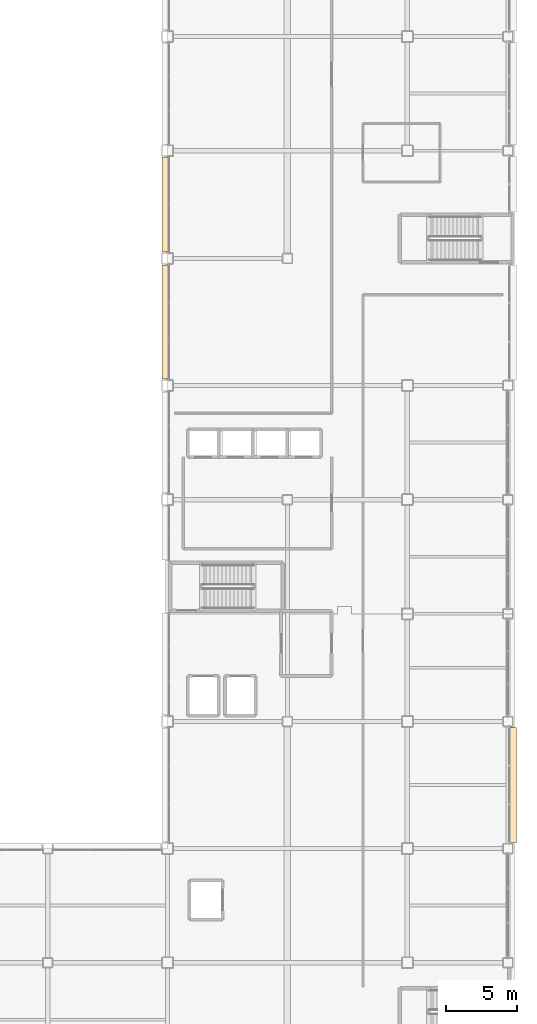
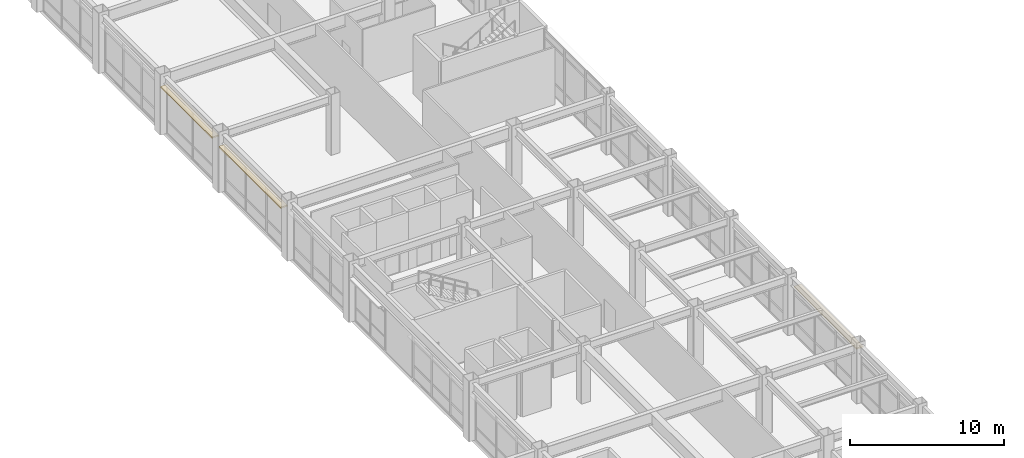
# One storey, part 152 of 154: 3 coverings.
"""IFC4 building model written with IfcOpenShell, lengths in metres."""

from ifc_helpers import new_model, si_unit, direction, frame, origin, origin_2d, place, context, subcontext, project, spatial, rectangle, extrude, material, layer, layer_set, type_object, element, save


model = new_model("IFC4")

# Units and contexts
model_context = context("Model", 3, precision=1e-05, world=origin(), true_north=direction((0.0, 1.0)))
body_context = subcontext(model_context, "Body", "Model", "MODEL_VIEW")
ifc_project = project(units=[si_unit("LENGTHUNIT", "METRE"), si_unit("AREAUNIT", "SQUARE_METRE"), si_unit("VOLUMEUNIT", "CUBIC_METRE"), si_unit("PLANEANGLEUNIT", "RADIAN"), si_unit("MASSUNIT", "GRAM", prefix="KILO")], contexts=[model_context])

# Site, building, storey
site_placement = place(None, origin())
site = spatial("IfcSite", under=ifc_project, at=site_placement, CompositionType="ELEMENT")
building_placement = place(site_placement, origin())
building = spatial("IfcBuilding", under=site, at=building_placement, Name="Kazehara Bluff Congress Hotel", CompositionType="ELEMENT")
storey_placement = place(building_placement, frame((0.0, 0.0, 10.199951171875)))
storey = spatial("IfcBuildingStorey", under=building, at=storey_placement, Name="L02", CompositionType="ELEMENT", Elevation=10.199951171875)

# Coverings
ifc_material = material(Name="Anodised aluminium architectural brise-soleil", Category="aluminium")
ifc_layer = layer(ifc_material, 0.10009765625)
ifc_layer_set = layer_set([ifc_layer], Name="Anodised aluminium architectural brise-soleil")
covering_type = type_object("IfcCoveringType", Name="TP-FAC-FIN", PredefinedType="CLADDING", material=ifc_layer_set)
covering_1_placement = place(storey_placement, frame((167.889892578125, 36.449951171875, 3.715087890625), z_axis=(0.0, 0.0, 1.0), x_axis=(1.0, 0.0, 0.0)))
element("IfcCovering", 1, at=covering_1_placement, inside=storey, type_object=covering_type, Name="L02 V5 architectural sun-hood 108", PredefinedType="CLADDING", context=body_context, shape_type="SweptSolid", body=[
    extrude(rectangle(XDim=0.52001953125, YDim=8.10009765625, at=origin_2d()), origin(), (0.0, 0.0, 1.0), 0.10009765625),
])
covering_2_placement = place(storey_placement, frame((143.56005859375, 68.89990234375, 3.6650390625), z_axis=(0.0, 0.0, 1.0), x_axis=(1.0, 0.0, 0.0)))
element("IfcCovering", 2, at=covering_2_placement, inside=storey, type_object=covering_type, Name="L02 V5 architectural sun-hood 122", PredefinedType="CLADDING", context=body_context, shape_type="SweptSolid", body=[
    extrude(rectangle(XDim=0.52001953125, YDim=8.0, at=origin_2d()), origin(), (0.0, 0.0, 1.0), 0.10009765625),
])
covering_3_placement = place(storey_placement, frame((143.56005859375, 77.125, 3.81494140625), z_axis=(0.0, 0.0, 1.0), x_axis=(1.0, 0.0, 0.0)))
element("IfcCovering", 3, at=covering_3_placement, inside=storey, type_object=covering_type, Name="L02 V5 architectural sun-hood 123", PredefinedType="CLADDING", context=body_context, shape_type="SweptSolid", body=[
    extrude(rectangle(XDim=0.52001953125, YDim=6.64990234375, at=origin_2d()), origin(), (0.0, 0.0, 1.0), 0.10009765625),
])

save(model, "model.ifc")
